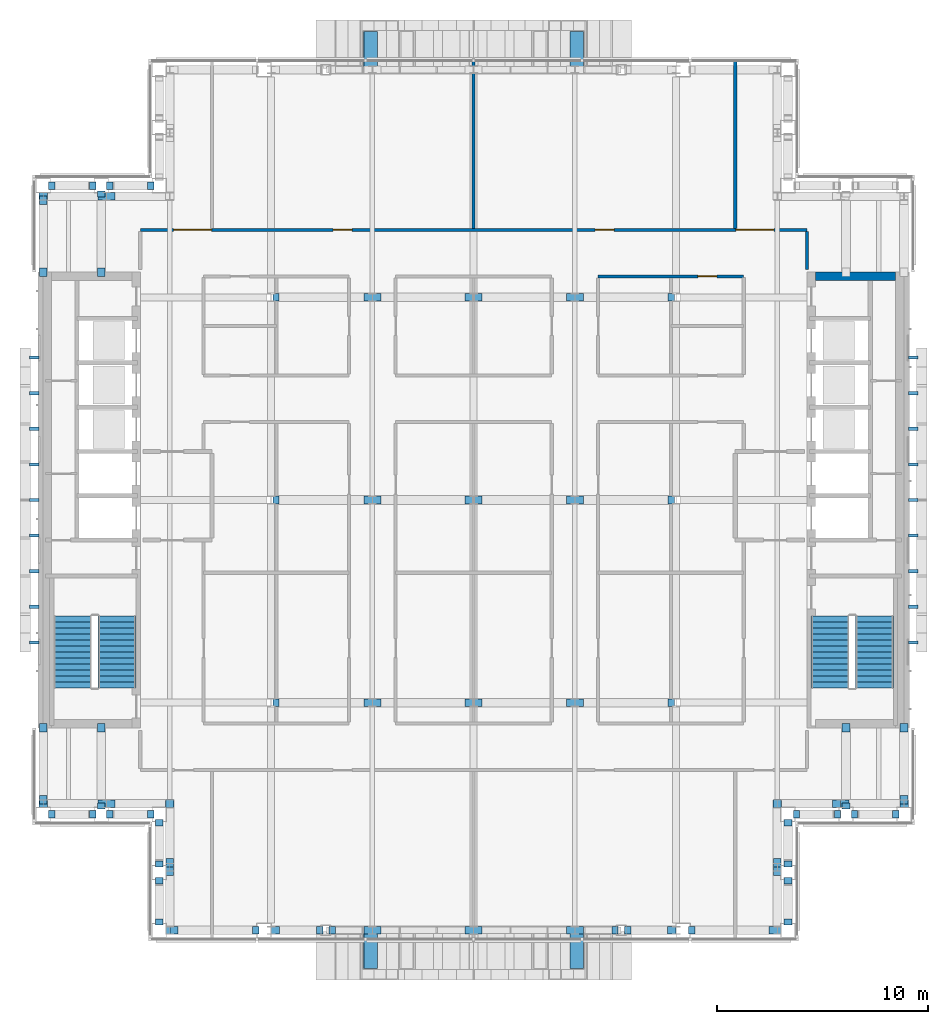
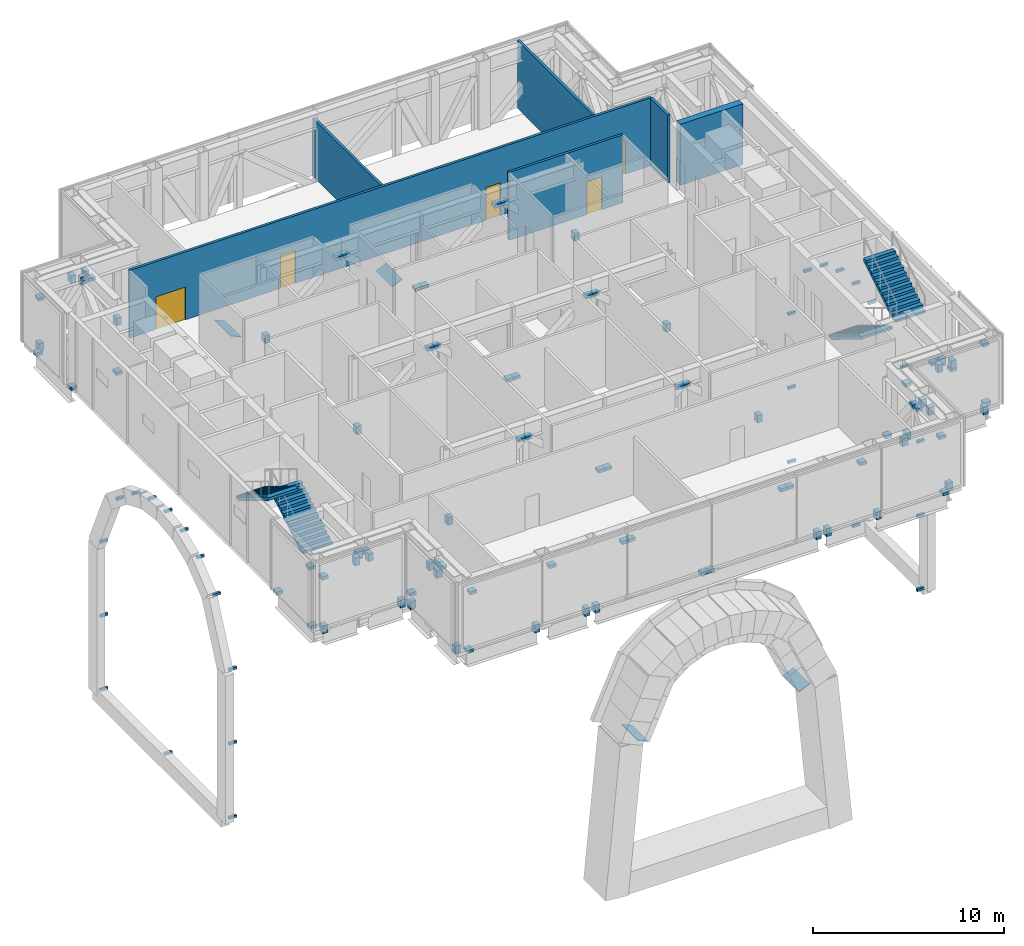
# One storey, part 14 of 26: 123 discrete accessories, 6 walls, 5 doors, 4 stair flights, 5 openings, 2 elements without a shape of their own.
"""IFC4 building model written with IfcOpenShell, lengths in metres."""

from ifc_helpers import new_model, si_unit, direction, frame, frame_2d, origin, origin_2d, place, context, subcontext, project, spatial, polyline, rectangle, outline, extrude, material, layer, layer_set, type_object, element, fill, aggregate, save


model = new_model("IFC4")

# Units and contexts
model_context = context("Model", 3, precision=1e-05, world=origin(), true_north=direction((0.0, 1.0)))
body_context = subcontext(model_context, "Body", "Model", "MODEL_VIEW")
ifc_project = project(units=[si_unit("LENGTHUNIT", "METRE"), si_unit("AREAUNIT", "SQUARE_METRE"), si_unit("VOLUMEUNIT", "CUBIC_METRE"), si_unit("PLANEANGLEUNIT", "RADIAN"), si_unit("MASSUNIT", "GRAM", prefix="KILO")], contexts=[model_context])

# Site, building, storey
site_placement = place(None, origin())
site = spatial("IfcSite", under=ifc_project, at=site_placement, CompositionType="ELEMENT")
building_placement = place(site_placement, origin())
building = spatial("IfcBuilding", under=site, at=building_placement, Name="Cobrizo Arcos Hotel Tower", CompositionType="ELEMENT")
storey_placement = place(building_placement, frame((0.0, 0.0, 236.5)))
storey = spatial("IfcBuildingStorey", under=building, at=storey_placement, Name="L62", CompositionType="ELEMENT", Elevation=236.5)

# Wall, opening, door
ifc_material_1 = material(Name="Gypsum board partition")
ifc_layer_1 = layer(ifc_material_1, 0.14990234375)
ifc_layer_set_1 = layer_set([ifc_layer_1], Name="Corridor wall EI 60 150")
wall_type_1 = type_object("IfcWallType", Name="Corridor wall EI 60 150", PredefinedType="PARTITIONING", material=ifc_layer_set_1)
wall_1_placement = place(storey_placement, frame((5.89990234375, 10.60009765625, 0.0), z_axis=(0.0, 0.0, 1.0), x_axis=(1.0, 0.0, 0.0)))
wall_1 = element("IfcWall", 1, at=wall_1_placement, inside=storey, type_object=wall_type_1, Name="Partition 040", PredefinedType="PARTITIONING", context=body_context, shape_type="SweptSolid", body=[
    extrude(rectangle(XDim=6.900146484375, YDim=0.14990234375, at=frame_2d((3.4501953125, 0.0))), origin(), (0.0, 0.0, 1.0), 4.35009765625),
])
opening_1_placement = place(wall_1_placement, frame((4.72509765625, 0.0, 0.0)))
opening_1 = element("IfcOpeningElement", 2, at=opening_1_placement, cuts=wall_1, Name="Opening RD-21", PredefinedType="OPENING", context=body_context, shape_type="SweptSolid", body=[
    extrude(rectangle(XDim=0.89990234375, YDim=2.10009765625, at=frame_2d((0.449951171875, 1.050048828125))), frame((0.0, 0.0869140625, 0.0), z_axis=(0.0, -1.0, 0.0), x_axis=(1.0, 0.0, 0.0)), (0.0, 0.0, 1.0), 0.173828125),
])
ifc_material_2 = material(Name="Timber door leaf", Category="wood")
door_type_1 = type_object("IfcDoorType", Name="Room door FD30 900x2100", OperationType="SINGLE_SWING_LEFT", PredefinedType="DOOR", material=ifc_material_2)
door_1_placement = place(opening_1_placement, origin())
door_1 = element("IfcDoor", 3, at=door_1_placement, inside=storey, type_object=door_type_1, Name="Door RD-21", OperationType="SINGLE_SWING_LEFT", OverallHeight=2.10009765625, OverallWidth=0.89990234375, PredefinedType="DOOR", context=body_context, shape_type="SweptSolid", body=[
    extrude(rectangle(XDim=0.89990234375, YDim=2.10009765625, at=frame_2d((0.449951171875, 1.050048828125))), frame((0.0, 0.02490234375, 0.0), z_axis=(0.0, -1.0, 0.0), x_axis=(1.0, 0.0, 0.0)), (0.0, 0.0, 1.0), 0.050048828125),
])
fill(opening_1, door_1)

# Wall, openings, doors
wall_2_placement = place(storey_placement, frame((-15.800048828125, 12.800048828125, 0.0), z_axis=(0.0, 0.0, 1.0), x_axis=(1.0, 0.0, 0.0)))
wall_2 = element("IfcWall", 4, at=wall_2_placement, inside=storey, type_object=wall_type_1, Name="Partition 041", PredefinedType="PARTITIONING", context=body_context, shape_type="SweptSolid", body=[
    extrude(rectangle(XDim=31.60009765625, YDim=0.14990234375, at=frame_2d((15.800048828125, 0.0))), origin(), (0.0, 0.0, 1.0), 4.35009765625),
])
opening_2_placement = place(wall_2_placement, frame((9.14208984375, 0.0, 0.0)))
opening_2 = element("IfcOpeningElement", 5, at=opening_2_placement, cuts=wall_2, Name="Opening RD-09", PredefinedType="OPENING", context=body_context, shape_type="SweptSolid", body=[
    extrude(rectangle(XDim=0.89990234375, YDim=2.10009765625, at=frame_2d((0.449951171875, 1.050048828125))), frame((0.0, 0.0869140625, 0.0), z_axis=(0.0, -1.0, 0.0), x_axis=(1.0, 0.0, 0.0)), (0.0, 0.0, 1.0), 0.173828125),
])
opening_3_placement = place(wall_2_placement, frame((21.55908203125, 0.0, 0.0)))
opening_3 = element("IfcOpeningElement", 6, at=opening_3_placement, cuts=wall_2, Name="Opening RD-10", PredefinedType="OPENING", context=body_context, shape_type="SweptSolid", body=[
    extrude(rectangle(XDim=0.89990234375, YDim=2.10009765625, at=frame_2d((0.449951171875, 1.050048828125))), frame((0.0, 0.0869140625, 0.0), z_axis=(0.0, -1.0, 0.0), x_axis=(1.0, 0.0, 0.0)), (0.0, 0.0, 1.0), 0.173828125),
])
opening_4_placement = place(wall_2_placement, frame((1.580078125, 0.0, 0.0)))
opening_4 = element("IfcOpeningElement", 7, at=opening_4_placement, cuts=wall_2, Name="Opening DD-01", PredefinedType="OPENING", context=body_context, shape_type="SweptSolid", body=[
    extrude(rectangle(XDim=1.800048828125, YDim=2.10009765625, at=frame_2d((0.89990234375, 1.050048828125))), frame((0.0, 0.0869140625, 0.0), z_axis=(0.0, -1.0, 0.0), x_axis=(1.0, 0.0, 0.0)), (0.0, 0.0, 1.0), 0.173828125),
])
opening_5_placement = place(wall_2_placement, frame((28.22998046875, 0.0, 0.0)))
opening_5 = element("IfcOpeningElement", 8, at=opening_5_placement, cuts=wall_2, Name="Opening DD-02", PredefinedType="OPENING", context=body_context, shape_type="SweptSolid", body=[
    extrude(rectangle(XDim=1.800048828125, YDim=2.10009765625, at=frame_2d((0.89990234375, 1.050048828125))), frame((0.0, 0.0869140625, 0.0), z_axis=(0.0, -1.0, 0.0), x_axis=(1.0, 0.0, 0.0)), (0.0, 0.0, 1.0), 0.173828125),
])
door_type_2 = type_object("IfcDoorType", Name="Double door FD30 1800x2100", OperationType="DOUBLE_DOOR_SINGLE_SWING", PredefinedType="DOOR", material=ifc_material_2)
door_2_placement = place(opening_4_placement, origin())
door_2 = element("IfcDoor", 9, at=door_2_placement, inside=storey, type_object=door_type_2, Name="Door DD-01", OperationType="DOUBLE_DOOR_SINGLE_SWING", OverallHeight=2.10009765625, OverallWidth=1.800048828125, PredefinedType="DOOR", context=body_context, shape_type="SweptSolid", body=[
    extrude(rectangle(XDim=1.800048828125, YDim=2.10009765625, at=frame_2d((0.89990234375, 1.050048828125))), frame((0.0, 0.02490234375, 0.0), z_axis=(0.0, -1.0, 0.0), x_axis=(1.0, 0.0, 0.0)), (0.0, 0.0, 1.0), 0.050048828125),
])
fill(opening_4, door_2)
door_3_placement = place(opening_5_placement, origin())
door_3 = element("IfcDoor", 10, at=door_3_placement, inside=storey, type_object=door_type_2, Name="Door DD-02", OperationType="DOUBLE_DOOR_SINGLE_SWING", OverallHeight=2.10009765625, OverallWidth=1.800048828125, PredefinedType="DOOR", context=body_context, shape_type="SweptSolid", body=[
    extrude(rectangle(XDim=1.800048828125, YDim=2.10009765625, at=frame_2d((0.89990234375, 1.050048828125))), frame((0.0, 0.02490234375, 0.0), z_axis=(0.0, -1.0, 0.0), x_axis=(1.0, 0.0, 0.0)), (0.0, 0.0, 1.0), 0.050048828125),
])
fill(opening_5, door_3)
door_4_placement = place(opening_2_placement, origin())
door_4 = element("IfcDoor", 11, at=door_4_placement, inside=storey, type_object=door_type_1, Name="Door RD-09", OperationType="SINGLE_SWING_LEFT", OverallHeight=2.10009765625, OverallWidth=0.89990234375, PredefinedType="DOOR", context=body_context, shape_type="SweptSolid", body=[
    extrude(rectangle(XDim=0.89990234375, YDim=2.10009765625, at=frame_2d((0.449951171875, 1.050048828125))), frame((0.0, 0.02490234375, 0.0), z_axis=(0.0, -1.0, 0.0), x_axis=(1.0, 0.0, 0.0)), (0.0, 0.0, 1.0), 0.050048828125),
])
fill(opening_2, door_4)
door_5_placement = place(opening_3_placement, origin())
door_5 = element("IfcDoor", 12, at=door_5_placement, inside=storey, type_object=door_type_1, Name="Door RD-10", OperationType="SINGLE_SWING_LEFT", OverallHeight=2.10009765625, OverallWidth=0.89990234375, PredefinedType="DOOR", context=body_context, shape_type="SweptSolid", body=[
    extrude(rectangle(XDim=0.89990234375, YDim=2.10009765625, at=frame_2d((0.449951171875, 1.050048828125))), frame((0.0, 0.02490234375, 0.0), z_axis=(0.0, -1.0, 0.0), x_axis=(1.0, 0.0, 0.0)), (0.0, 0.0, 1.0), 0.050048828125),
])
fill(opening_3, door_5)

# Walls
wall_3_placement = place(storey_placement, frame((0.0, 12.875, 0.0), z_axis=(0.0, 0.0, 1.0), x_axis=(0.0, 1.0, 0.0)))
element("IfcWall", 13, at=wall_3_placement, inside=storey, type_object=wall_type_1, Name="Partition 069", PredefinedType="PARTITIONING", context=body_context, shape_type="SweptSolid", body=[
    extrude(rectangle(XDim=7.905029296875, YDim=0.14990234375, at=frame_2d((3.95263671875, 0.0))), origin(), (0.0, 0.0, 1.0), 3.72802734375),
])
wall_4_placement = place(storey_placement, frame((12.39990234375, 12.875, 0.0), z_axis=(0.0, 0.0, 1.0), x_axis=(0.0, 1.0, 0.0)))
element("IfcWall", 14, at=wall_4_placement, inside=storey, type_object=wall_type_1, Name="Partition 079", PredefinedType="PARTITIONING", context=body_context, shape_type="SweptSolid", body=[
    extrude(rectangle(XDim=7.905029296875, YDim=0.14990234375, at=frame_2d((3.95263671875, 0.0))), origin(), (0.0, 0.0, 1.0), 4.35009765625),
])
wall_5_placement = place(storey_placement, frame((15.800048828125, 10.919921875, 0.0), z_axis=(0.0, 0.0, 1.0), x_axis=(0.0, 1.0, 0.0)))
element("IfcWall", 15, at=wall_5_placement, inside=storey, type_object=wall_type_1, Name="Partition 084", PredefinedType="PARTITIONING", context=body_context, shape_type="SweptSolid", body=[
    extrude(rectangle(XDim=1.80517578125, YDim=0.14990234375, at=frame_2d((0.902587890625, 0.0))), origin(), (0.0, 0.0, 1.0), 4.35009765625),
])
ifc_material_3 = material(Name="Concrete f'c 40 MPa", Category="concrete")
ifc_layer_2 = layer(ifc_material_3, 0.39990234375)
ifc_layer_set_2 = layer_set([ifc_layer_2], Name="RC core wall 400 f'c 40")
wall_type_2 = type_object("IfcWallType", Name="RC core wall 400 f'c 40", PredefinedType="SHEAR", material=ifc_layer_set_2)
wall_6_placement = place(storey_placement, frame((16.199951171875, 10.60009765625, 0.0), z_axis=(0.0, 0.0, 1.0), x_axis=(1.0, 0.0, 0.0)))
element("IfcWall", 16, at=wall_6_placement, inside=storey, type_object=wall_type_2, Name="Core wall CW4, east core, north end, L62", PredefinedType="SHEAR", context=body_context, shape_type="SweptSolid", body=[
    extrude(rectangle(XDim=3.800048828125, YDim=0.39990234375, at=frame_2d((1.89990234375, 0.0))), origin(), (0.0, 0.0, 1.0), 3.89990234375),
])

# Stair, stair flights
stair_type = type_object("IfcStairType", Name="Exit stair", PredefinedType="HALF_TURN_STAIR", material=ifc_material_3)
stair_1_placement = place(storey_placement, origin())
stair_1 = element("IfcStair", 17, at=stair_1_placement, inside=storey, type_object=stair_type, Name="L62 Exit stair ST-W", PredefinedType="HALF_TURN_STAIR")
stair_flight_type = type_object("IfcStairFlightType", Name="Exit stair flight", PredefinedType="STRAIGHT", material=ifc_material_3)
stair_flight_1_placement = place(storey_placement, frame((-16.89990234375, -8.89990234375, 0.0), z_axis=(0.0, 0.0, 1.0), x_axis=(0.0, 1.0, 0.0)))
stair_flight_1 = element("IfcStairFlight", 18, at=stair_flight_1_placement, type_object=stair_flight_type, Name="ST-W flight 1", NumberOfRisers=13, NumberOfTreads=12, PredefinedType="STRAIGHT", RiserHeight=0.173076923, TreadLength=0.283333333, context=body_context, shape_type="SweptSolid", body=[
    extrude(outline(polyline([(0.0, 0.0), (0.0, 0.173095703125), (0.283447265625, 0.173095703125), (0.283447265625, 0.34619140625), (0.566650390625, 0.34619140625), (0.566650390625, 0.519287109375), (0.85009765625, 0.519287109375), (0.85009765625, 0.6923828125), (1.13330078125, 0.6923828125), (1.13330078125, 0.865478515625), (1.416748046875, 0.865478515625), (1.416748046875, 1.03857421875), (1.699951171875, 1.03857421875), (1.699951171875, 1.21142578125), (1.9833984375, 1.21142578125), (1.9833984375, 1.384521484375), (2.2666015625, 1.384521484375), (2.2666015625, 1.5576171875), (2.550048828125, 1.5576171875), (2.550048828125, 1.730712890625), (2.833251953125, 1.730712890625), (2.833251953125, 1.90380859375), (3.11669921875, 1.90380859375), (3.11669921875, 2.076904296875), (3.39990234375, 2.076904296875), (3.39990234375, 2.25), (3.39990234375, 1.9013671875), (0.28759765625, 0.0), (0.0, 0.0)])), frame((0.0, 0.89990234375, 0.0), z_axis=(0.0, -1.0, 0.0), x_axis=(1.0, 0.0, 0.0)), (0.0, 0.0, 1.0), 1.800048828125),
])
stair_flight_2_placement = place(storey_placement, frame((-19.0, -5.5, 2.25), z_axis=(0.0, 0.0, 1.0), x_axis=(0.0, -1.0, 0.0)))
stair_flight_2 = element("IfcStairFlight", 19, at=stair_flight_2_placement, type_object=stair_flight_type, Name="ST-W flight 2", NumberOfRisers=13, NumberOfTreads=12, PredefinedType="STRAIGHT", RiserHeight=0.173076923, TreadLength=0.283333333, context=body_context, shape_type="SweptSolid", body=[
    extrude(outline(polyline([(0.0, 0.0), (0.0, 0.173095703125), (0.283447265625, 0.173095703125), (0.283447265625, 0.34619140625), (0.566650390625, 0.34619140625), (0.566650390625, 0.519287109375), (0.85009765625, 0.519287109375), (0.85009765625, 0.6923828125), (1.13330078125, 0.6923828125), (1.13330078125, 0.865478515625), (1.416748046875, 0.865478515625), (1.416748046875, 1.03857421875), (1.699951171875, 1.03857421875), (1.699951171875, 1.21142578125), (1.9833984375, 1.21142578125), (1.9833984375, 1.384521484375), (2.2666015625, 1.384521484375), (2.2666015625, 1.5576171875), (2.550048828125, 1.5576171875), (2.550048828125, 1.730712890625), (2.833251953125, 1.730712890625), (2.833251953125, 1.90380859375), (3.11669921875, 1.90380859375), (3.11669921875, 2.076904296875), (3.39990234375, 2.076904296875), (3.39990234375, 2.25), (3.39990234375, 1.9013671875), (0.28759765625, 0.0), (0.0, 0.0)])), frame((0.0, 0.89990234375, 0.0), z_axis=(0.0, -1.0, 0.0), x_axis=(1.0, 0.0, 0.0)), (0.0, 0.0, 1.0), 1.800048828125),
])
aggregate(stair_1, [stair_flight_1, stair_flight_2])

stair_2_placement = place(storey_placement, origin())
stair_2 = element("IfcStair", 20, at=stair_2_placement, inside=storey, type_object=stair_type, Name="L62 Exit stair ST-E", PredefinedType="HALF_TURN_STAIR")
stair_flight_3_placement = place(storey_placement, frame((16.89990234375, -5.5, 0.0), z_axis=(0.0, 0.0, 1.0), x_axis=(0.0, -1.0, 0.0)))
stair_flight_3 = element("IfcStairFlight", 21, at=stair_flight_3_placement, type_object=stair_flight_type, Name="ST-E flight 1", NumberOfRisers=13, NumberOfTreads=12, PredefinedType="STRAIGHT", RiserHeight=0.173076923, TreadLength=0.283333333, context=body_context, shape_type="SweptSolid", body=[
    extrude(outline(polyline([(0.0, 0.0), (0.0, 0.173095703125), (0.283447265625, 0.173095703125), (0.283447265625, 0.34619140625), (0.566650390625, 0.34619140625), (0.566650390625, 0.519287109375), (0.85009765625, 0.519287109375), (0.85009765625, 0.6923828125), (1.13330078125, 0.6923828125), (1.13330078125, 0.865478515625), (1.416748046875, 0.865478515625), (1.416748046875, 1.03857421875), (1.699951171875, 1.03857421875), (1.699951171875, 1.21142578125), (1.9833984375, 1.21142578125), (1.9833984375, 1.384521484375), (2.2666015625, 1.384521484375), (2.2666015625, 1.5576171875), (2.550048828125, 1.5576171875), (2.550048828125, 1.730712890625), (2.833251953125, 1.730712890625), (2.833251953125, 1.90380859375), (3.11669921875, 1.90380859375), (3.11669921875, 2.076904296875), (3.39990234375, 2.076904296875), (3.39990234375, 2.25), (3.39990234375, 1.9013671875), (0.28759765625, 0.0), (0.0, 0.0)])), frame((0.0, 0.89990234375, 0.0), z_axis=(0.0, -1.0, 0.0), x_axis=(1.0, 0.0, 0.0)), (0.0, 0.0, 1.0), 1.800048828125),
])
stair_flight_4_placement = place(storey_placement, frame((19.0, -8.89990234375, 2.25), z_axis=(0.0, 0.0, 1.0), x_axis=(0.0, 1.0, 0.0)))
stair_flight_4 = element("IfcStairFlight", 22, at=stair_flight_4_placement, type_object=stair_flight_type, Name="ST-E flight 2", NumberOfRisers=13, NumberOfTreads=12, PredefinedType="STRAIGHT", RiserHeight=0.173076923, TreadLength=0.283333333, context=body_context, shape_type="SweptSolid", body=[
    extrude(outline(polyline([(0.0, 0.0), (0.0, 0.173095703125), (0.283447265625, 0.173095703125), (0.283447265625, 0.34619140625), (0.566650390625, 0.34619140625), (0.566650390625, 0.519287109375), (0.85009765625, 0.519287109375), (0.85009765625, 0.6923828125), (1.13330078125, 0.6923828125), (1.13330078125, 0.865478515625), (1.416748046875, 0.865478515625), (1.416748046875, 1.03857421875), (1.699951171875, 1.03857421875), (1.699951171875, 1.21142578125), (1.9833984375, 1.21142578125), (1.9833984375, 1.384521484375), (2.2666015625, 1.384521484375), (2.2666015625, 1.5576171875), (2.550048828125, 1.5576171875), (2.550048828125, 1.730712890625), (2.833251953125, 1.730712890625), (2.833251953125, 1.90380859375), (3.11669921875, 1.90380859375), (3.11669921875, 2.076904296875), (3.39990234375, 2.076904296875), (3.39990234375, 2.25), (3.39990234375, 1.9013671875), (0.28759765625, 0.0), (0.0, 0.0)])), frame((0.0, 0.89990234375, 0.0), z_axis=(0.0, -1.0, 0.0), x_axis=(1.0, 0.0, 0.0)), (0.0, 0.0, 1.0), 1.800048828125),
])
aggregate(stair_2, [stair_flight_3, stair_flight_4])

# Discrete accessories
ifc_material_4 = material(Name="Steel ASTM A500 Grade C", Category="steel")
discrete_accessory_type_1 = type_object("IfcDiscreteAccessoryType", Name="BR-1 fin bracket", PredefinedType="BRACKET", material=ifc_material_4)
for number, where, z_axis, x_axis, name in (
    (23, (20.824951171875, -6.748291015625, -7.636474609375), (0.0, 0.0, 1.0), (1.0, 0.0, 0.0), "Arch rim bracket C E"),
    (24, (20.824951171875, -5.061279296875, -3.87744140625), (0.0, 0.0, 1.0), (1.0, 0.0, 0.0), "Arch rim bracket C E"),
    (25, (20.824951171875, -3.374267578125, -2.512451171875), (0.0, 0.0, 1.0), (1.0, 0.0, 0.0), "Arch rim bracket C E"),
    (26, (20.824951171875, -1.68701171875, -1.827880859375), (0.0, 0.0, 1.0), (1.0, 0.0, 0.0), "Arch rim bracket C E"),
    (27, (20.824951171875, 0.0, -1.614990234375), (0.0, 0.0, 1.0), (1.0, 0.0, 0.0), "Arch rim bracket C E"),
    (28, (20.824951171875, 1.68701171875, -1.827880859375), (0.0, 0.0, 1.0), (1.0, 0.0, 0.0), "Arch rim bracket C E"),
    (29, (20.824951171875, 3.374267578125, -2.512451171875), (0.0, 0.0, 1.0), (1.0, 0.0, 0.0), "Arch rim bracket C E"),
    (30, (20.824951171875, 5.061279296875, -3.87744140625), (0.0, 0.0, 1.0), (1.0, 0.0, 0.0), "Arch rim bracket C E"),
    (31, (20.824951171875, 6.748291015625, -7.636474609375), (0.0, 0.0, 1.0), (1.0, 0.0, 0.0), "Arch rim bracket C E"),
    (32, (20.824951171875, -6.748291015625, -17.125), (0.0, 0.0, 1.0), (1.0, 0.0, 0.0), "Arch rim bracket C E"),
    (33, (20.824951171875, -6.748291015625, -12.380859375), (0.0, 0.0, 1.0), (1.0, 0.0, 0.0), "Arch rim bracket C E"),
    (34, (20.824951171875, 6.748291015625, -17.125), (0.0, 0.0, 1.0), (1.0, 0.0, 0.0), "Arch rim bracket C E"),
    (35, (20.824951171875, 6.748291015625, -12.380859375), (0.0, 0.0, 1.0), (1.0, 0.0, 0.0), "Arch rim bracket C E"),
    (36, (20.824951171875, 0.0, -17.125), (0.0, 0.0, 1.0), (1.0, 0.0, 0.0), "Arch rim bracket C E"),
    (37, (-20.824951171875, -6.748291015625, -7.636474609375), (0.0, 0.0, 1.0), (1.0, 0.0, 0.0), "Arch rim bracket C W"),
    (38, (-20.824951171875, -5.061279296875, -3.87744140625), (0.0, 0.0, 1.0), (1.0, 0.0, 0.0), "Arch rim bracket C W"),
    (39, (-20.824951171875, -3.374267578125, -2.512451171875), (0.0, 0.0, 1.0), (1.0, 0.0, 0.0), "Arch rim bracket C W"),
    (40, (-20.824951171875, -1.68701171875, -1.827880859375), (0.0, 0.0, 1.0), (1.0, 0.0, 0.0), "Arch rim bracket C W"),
    (41, (-20.824951171875, 0.0, -1.614990234375), (0.0, 0.0, 1.0), (1.0, 0.0, 0.0), "Arch rim bracket C W"),
    (42, (-20.824951171875, 1.68701171875, -1.827880859375), (0.0, 0.0, 1.0), (1.0, 0.0, 0.0), "Arch rim bracket C W"),
    (43, (-20.824951171875, 3.374267578125, -2.512451171875), (0.0, 0.0, 1.0), (1.0, 0.0, 0.0), "Arch rim bracket C W"),
    (44, (-20.824951171875, 5.061279296875, -3.87744140625), (0.0, 0.0, 1.0), (1.0, 0.0, 0.0), "Arch rim bracket C W"),
    (45, (-20.824951171875, 6.748291015625, -7.636474609375), (0.0, 0.0, 1.0), (1.0, 0.0, 0.0), "Arch rim bracket C W"),
    (46, (-20.824951171875, -6.748291015625, -17.125), (0.0, 0.0, 1.0), (1.0, 0.0, 0.0), "Arch rim bracket C W"),
    (47, (-20.824951171875, -6.748291015625, -12.380859375), (0.0, 0.0, 1.0), (1.0, 0.0, 0.0), "Arch rim bracket C W"),
    (48, (-20.824951171875, 6.748291015625, -17.125), (0.0, 0.0, 1.0), (1.0, 0.0, 0.0), "Arch rim bracket C W"),
    (49, (-20.824951171875, 6.748291015625, -12.380859375), (0.0, 0.0, 1.0), (1.0, 0.0, 0.0), "Arch rim bracket C W"),
    (50, (-20.824951171875, 0.0, -17.125), (0.0, 0.0, 1.0), (1.0, 0.0, 0.0), "Arch rim bracket C W"),
):
    element("IfcDiscreteAccessory", number, at=place(storey_placement, frame(where, z_axis=z_axis, x_axis=x_axis)), inside=storey, type_object=discrete_accessory_type_1, Name=name, PredefinedType="BRACKET", context=body_context, shape_type="SweptSolid", body=[
        extrude(rectangle(XDim=0.449951171875, YDim=0.14990234375, at=origin_2d()), origin(), (0.0, 0.0, 1.0), 0.14990234375),
    ])
ifc_material_5 = material(Name="Steel ASTM A572 Grade 50", Category="steel")
discrete_accessory_type_2 = type_object("IfcDiscreteAccessoryType", Name="GP-3 truss end block 300x360x500", PredefinedType="BRACKET", material=ifc_material_5)
for number, where, z_axis, x_axis, name in (
    (51, (-10.3330078125, -20.39990234375, -0.550048828125), (0.0, 0.0, 1.0), (-1.0, 0.0, 0.0), "Truss end block"),
    (52, (-7.300048828125, -20.39990234375, -0.550048828125), (0.0, 0.0, 1.0), (-1.0, 0.0, 0.0), "Truss end block"),
    (53, (-6.699951171875, -20.39990234375, -0.550048828125), (0.0, 0.0, 1.0), (1.0, 0.0, 0.0), "Truss end block"),
    (54, (6.699951171875, -20.39990234375, -0.550048828125), (0.0, 0.0, 1.0), (-1.0, 0.0, 0.0), "Truss end block"),
    (55, (7.300048828125, -20.39990234375, -0.550048828125), (0.0, 0.0, 1.0), (1.0, 0.0, 0.0), "Truss end block"),
    (56, (10.3330078125, -20.39990234375, -0.550048828125), (0.0, 0.0, 1.0), (1.0, 0.0, 0.0), "Truss end block"),
    (57, (14.89990234375, -20.0, -0.550048828125), (0.0, 0.0, 1.0), (0.0, 1.0, 0.0), "Truss end block"),
    (58, (14.89990234375, -18.050048828125, 3.109375), (0.0, 0.0, 1.0), (0.0, -1.0, 0.0), "Truss end block"),
    (59, (14.89990234375, -17.25, 3.109375), (0.0, 0.0, 1.0), (0.0, 1.0, 0.0), "Truss end block"),
    (60, (14.89990234375, -15.300048828125, -0.550048828125), (0.0, 0.0, 1.0), (0.0, -1.0, 0.0), "Truss end block"),
    (61, (15.300048828125, -14.89990234375, -0.550048828125), (0.0, 0.0, 1.0), (1.0, 0.0, 0.0), "Truss end block"),
    (62, (17.25, -14.89990234375, 3.109375), (0.0, 0.0, 1.0), (-1.0, 0.0, 0.0), "Truss end block"),
    (63, (18.050048828125, -14.89990234375, 3.109375), (0.0, 0.0, 1.0), (1.0, 0.0, 0.0), "Truss end block"),
    (64, (20.0, -14.89990234375, -0.550048828125), (0.0, 0.0, 1.0), (-1.0, 0.0, 0.0), "Truss end block"),
    (65, (-15.300048828125, 14.89990234375, -0.550048828125), (0.0, 0.0, 1.0), (-1.0, 0.0, 0.0), "Truss end block"),
    (66, (-17.25, 14.89990234375, 3.109375), (0.0, 0.0, 1.0), (1.0, 0.0, 0.0), "Truss end block"),
    (67, (-18.050048828125, 14.89990234375, 3.109375), (0.0, 0.0, 1.0), (-1.0, 0.0, 0.0), "Truss end block"),
    (68, (-20.0, 14.89990234375, -0.550048828125), (0.0, 0.0, 1.0), (1.0, 0.0, 0.0), "Truss end block"),
    (69, (-20.0, -14.89990234375, -0.550048828125), (0.0, 0.0, 1.0), (1.0, 0.0, 0.0), "Truss end block"),
    (70, (-18.050048828125, -14.89990234375, 3.109375), (0.0, 0.0, 1.0), (-1.0, 0.0, 0.0), "Truss end block"),
    (71, (-17.25, -14.89990234375, 3.109375), (0.0, 0.0, 1.0), (1.0, 0.0, 0.0), "Truss end block"),
    (72, (-15.300048828125, -14.89990234375, -0.550048828125), (0.0, 0.0, 1.0), (-1.0, 0.0, 0.0), "Truss end block"),
    (73, (-14.89990234375, -15.300048828125, -0.550048828125), (0.0, 0.0, 1.0), (0.0, -1.0, 0.0), "Truss end block"),
    (74, (-14.89990234375, -17.25, 3.109375), (0.0, 0.0, 1.0), (0.0, 1.0, 0.0), "Truss end block"),
    (75, (-14.89990234375, -18.050048828125, 3.109375), (0.0, 0.0, 1.0), (0.0, -1.0, 0.0), "Truss end block"),
    (76, (-14.89990234375, -20.0, -0.550048828125), (0.0, 0.0, 1.0), (0.0, 1.0, 0.0), "Truss end block"),
    (77, (17.64990234375, -14.5, 3.109375), (0.0, 0.0, 1.0), (0.0, 1.0, 0.0), "Truss end block"),
    (78, (-17.64990234375, -14.5, 3.109375), (0.0, 0.0, 1.0), (0.0, 1.0, 0.0), "Truss end block"),
    (79, (-17.64990234375, 14.5, 3.109375), (0.0, 0.0, 1.0), (0.0, -1.0, 0.0), "Truss end block"),
    (80, (-9.36328125, -9.60009765625, -0.550048828125), (0.0, 0.0, 1.0), (1.0, 0.0, 0.0), "Truss end block"),
    (81, (9.36328125, -9.60009765625, -0.550048828125), (0.0, 0.0, 1.0), (-1.0, 0.0, 0.0), "Truss end block"),
    (82, (-9.36328125, 0.0, -0.550048828125), (0.0, 0.0, 1.0), (1.0, 0.0, 0.0), "Truss end block"),
    (83, (9.36328125, 0.0, -0.550048828125), (0.0, 0.0, 1.0), (-1.0, 0.0, 0.0), "Truss end block"),
    (84, (-9.36328125, 9.60009765625, -0.550048828125), (0.0, 0.0, 1.0), (1.0, 0.0, 0.0), "Truss end block"),
    (85, (9.36328125, 9.60009765625, -0.550048828125), (0.0, 0.0, 1.0), (-1.0, 0.0, 0.0), "Truss end block"),
):
    element("IfcDiscreteAccessory", number, at=place(storey_placement, frame(where, z_axis=z_axis, x_axis=x_axis)), inside=storey, type_object=discrete_accessory_type_2, Name=name, PredefinedType="BRACKET", context=body_context, shape_type="SweptSolid", body=[
        extrude(rectangle(XDim=0.300048828125, YDim=0.360107421875, at=origin_2d()), origin(), (0.0, 0.0, 1.0), 0.5),
    ])
discrete_accessory_type_3 = type_object("IfcDiscreteAccessoryType", Name="GP-4 truss chord plate 400x360x200", PredefinedType="BRACKET", material=ifc_material_5)
for number, where, z_axis, x_axis, name in (
    (86, (-14.199951171875, -20.39990234375, 3.25927734375), (0.0, 0.0, 1.0), (1.0, 0.0, 0.0), "Truss chord plate"),
    (87, (-9.39990234375, -20.39990234375, 3.25927734375), (0.0, 0.0, 1.0), (1.0, 0.0, 0.0), "Truss chord plate"),
    (88, (-5.0, -20.39990234375, 3.25927734375), (0.0, 0.0, 1.0), (1.0, 0.0, 0.0), "Truss chord plate"),
    (89, (-4.60009765625, -20.39990234375, 3.25927734375), (0.0, 0.0, 1.0), (1.0, 0.0, 0.0), "Truss chord plate"),
    (90, (-0.199951171875, -20.39990234375, -0.39990234375), (0.0, 0.0, 1.0), (1.0, 0.0, 0.0), "Truss chord plate"),
    (91, (0.199951171875, -20.39990234375, -0.39990234375), (0.0, 0.0, 1.0), (1.0, 0.0, 0.0), "Truss chord plate"),
    (92, (4.60009765625, -20.39990234375, 3.25927734375), (0.0, 0.0, 1.0), (1.0, 0.0, 0.0), "Truss chord plate"),
    (93, (5.0, -20.39990234375, 3.25927734375), (0.0, 0.0, 1.0), (1.0, 0.0, 0.0), "Truss chord plate"),
    (94, (9.39990234375, -20.39990234375, 3.25927734375), (0.0, 0.0, 1.0), (1.0, 0.0, 0.0), "Truss chord plate"),
    (95, (14.199951171875, -20.39990234375, 3.25927734375), (0.0, 0.0, 1.0), (1.0, 0.0, 0.0), "Truss chord plate"),
    (96, (20.39990234375, -14.199951171875, 3.25927734375), (0.0, 0.0, 1.0), (0.0, 1.0, 0.0), "Truss chord plate"),
    (97, (20.39990234375, -10.801025390625, -0.39990234375), (0.0, 0.0, 1.0), (0.0, 1.0, 0.0), "Truss chord plate"),
    (98, (-20.39990234375, 14.199951171875, 3.25927734375), (0.0, 0.0, 1.0), (0.0, -1.0, 0.0), "Truss chord plate"),
    (99, (-20.39990234375, 10.801025390625, -0.39990234375), (0.0, 0.0, 1.0), (0.0, -1.0, 0.0), "Truss chord plate"),
    (100, (-20.39990234375, -10.801025390625, -0.39990234375), (0.0, 0.0, 1.0), (0.0, -1.0, 0.0), "Truss chord plate"),
    (101, (-20.39990234375, -14.199951171875, 3.25927734375), (0.0, 0.0, 1.0), (0.0, -1.0, 0.0), "Truss chord plate"),
    (102, (14.39990234375, -20.39990234375, -0.39990234375), (0.0, 0.0, 1.0), (0.0, 1.0, 0.0), "Truss chord plate"),
    (103, (14.39990234375, -17.60009765625, 3.25927734375), (0.0, 0.0, 1.0), (0.0, 1.0, 0.0), "Truss chord plate"),
    (104, (14.39990234375, -17.199951171875, 3.25927734375), (0.0, 0.0, 1.0), (0.0, 1.0, 0.0), "Truss chord plate"),
    (105, (14.39990234375, -14.39990234375, -0.39990234375), (0.0, 0.0, 1.0), (0.0, 1.0, 0.0), "Truss chord plate"),
    (106, (14.39990234375, -14.39990234375, -0.39990234375), (0.0, 0.0, 1.0), (1.0, 0.0, 0.0), "Truss chord plate"),
    (107, (17.199951171875, -14.39990234375, 3.25927734375), (0.0, 0.0, 1.0), (1.0, 0.0, 0.0), "Truss chord plate"),
    (108, (17.60009765625, -14.39990234375, 3.25927734375), (0.0, 0.0, 1.0), (1.0, 0.0, 0.0), "Truss chord plate"),
    (109, (20.39990234375, -14.39990234375, -0.39990234375), (0.0, 0.0, 1.0), (1.0, 0.0, 0.0), "Truss chord plate"),
    (110, (-17.199951171875, 14.39990234375, 3.25927734375), (0.0, 0.0, 1.0), (-1.0, 0.0, 0.0), "Truss chord plate"),
    (111, (-17.60009765625, 14.39990234375, 3.25927734375), (0.0, 0.0, 1.0), (-1.0, 0.0, 0.0), "Truss chord plate"),
    (112, (-20.39990234375, 14.39990234375, -0.39990234375), (0.0, 0.0, 1.0), (-1.0, 0.0, 0.0), "Truss chord plate"),
    (113, (-20.39990234375, -14.39990234375, -0.39990234375), (0.0, 0.0, 1.0), (1.0, 0.0, 0.0), "Truss chord plate"),
    (114, (-17.60009765625, -14.39990234375, 3.25927734375), (0.0, 0.0, 1.0), (1.0, 0.0, 0.0), "Truss chord plate"),
    (115, (-17.199951171875, -14.39990234375, 3.25927734375), (0.0, 0.0, 1.0), (1.0, 0.0, 0.0), "Truss chord plate"),
    (116, (-14.39990234375, -14.39990234375, -0.39990234375), (0.0, 0.0, 1.0), (1.0, 0.0, 0.0), "Truss chord plate"),
    (117, (-14.39990234375, -14.39990234375, -0.39990234375), (0.0, 0.0, 1.0), (0.0, -1.0, 0.0), "Truss chord plate"),
    (118, (-14.39990234375, -17.199951171875, 3.25927734375), (0.0, 0.0, 1.0), (0.0, -1.0, 0.0), "Truss chord plate"),
    (119, (-14.39990234375, -17.60009765625, 3.25927734375), (0.0, 0.0, 1.0), (0.0, -1.0, 0.0), "Truss chord plate"),
    (120, (-14.39990234375, -20.39990234375, -0.39990234375), (0.0, 0.0, 1.0), (0.0, -1.0, 0.0), "Truss chord plate"),
    (121, (17.64990234375, -10.800048828125, -0.39990234375), (0.0, 0.0, 1.0), (0.0, -1.0, 0.0), "Truss chord plate"),
    (122, (-17.64990234375, -10.800048828125, -0.39990234375), (0.0, 0.0, 1.0), (0.0, -1.0, 0.0), "Truss chord plate"),
    (123, (-17.64990234375, 10.800048828125, -0.39990234375), (0.0, 0.0, 1.0), (0.0, 1.0, 0.0), "Truss chord plate"),
    (124, (-5.0, -9.60009765625, 3.25927734375), (0.0, 0.0, 1.0), (1.0, 0.0, 0.0), "Truss chord plate"),
    (125, (-4.60009765625, -9.60009765625, 3.25927734375), (0.0, 0.0, 1.0), (1.0, 0.0, 0.0), "Truss chord plate"),
    (126, (-0.199951171875, -9.60009765625, -0.39990234375), (0.0, 0.0, 1.0), (1.0, 0.0, 0.0), "Truss chord plate"),
    (127, (0.199951171875, -9.60009765625, -0.39990234375), (0.0, 0.0, 1.0), (1.0, 0.0, 0.0), "Truss chord plate"),
    (128, (4.60009765625, -9.60009765625, 3.25927734375), (0.0, 0.0, 1.0), (1.0, 0.0, 0.0), "Truss chord plate"),
    (129, (5.0, -9.60009765625, 3.25927734375), (0.0, 0.0, 1.0), (1.0, 0.0, 0.0), "Truss chord plate"),
    (130, (-5.0, 0.0, 3.25927734375), (0.0, 0.0, 1.0), (1.0, 0.0, 0.0), "Truss chord plate"),
    (131, (-4.60009765625, 0.0, 3.25927734375), (0.0, 0.0, 1.0), (1.0, 0.0, 0.0), "Truss chord plate"),
    (132, (-0.199951171875, 0.0, -0.39990234375), (0.0, 0.0, 1.0), (1.0, 0.0, 0.0), "Truss chord plate"),
    (133, (0.199951171875, 0.0, -0.39990234375), (0.0, 0.0, 1.0), (1.0, 0.0, 0.0), "Truss chord plate"),
    (134, (4.60009765625, 0.0, 3.25927734375), (0.0, 0.0, 1.0), (1.0, 0.0, 0.0), "Truss chord plate"),
    (135, (5.0, 0.0, 3.25927734375), (0.0, 0.0, 1.0), (1.0, 0.0, 0.0), "Truss chord plate"),
    (136, (-5.0, 9.60009765625, 3.25927734375), (0.0, 0.0, 1.0), (1.0, 0.0, 0.0), "Truss chord plate"),
    (137, (-4.60009765625, 9.60009765625, 3.25927734375), (0.0, 0.0, 1.0), (1.0, 0.0, 0.0), "Truss chord plate"),
    (138, (-0.199951171875, 9.60009765625, -0.39990234375), (0.0, 0.0, 1.0), (1.0, 0.0, 0.0), "Truss chord plate"),
    (139, (0.199951171875, 9.60009765625, -0.39990234375), (0.0, 0.0, 1.0), (1.0, 0.0, 0.0), "Truss chord plate"),
    (140, (4.60009765625, 9.60009765625, 3.25927734375), (0.0, 0.0, 1.0), (1.0, 0.0, 0.0), "Truss chord plate"),
    (141, (5.0, 9.60009765625, 3.25927734375), (0.0, 0.0, 1.0), (1.0, 0.0, 0.0), "Truss chord plate"),
):
    element("IfcDiscreteAccessory", number, at=place(storey_placement, frame(where, z_axis=z_axis, x_axis=x_axis)), inside=storey, type_object=discrete_accessory_type_3, Name=name, PredefinedType="BRACKET", context=body_context, shape_type="SweptSolid", body=[
        extrude(rectangle(XDim=0.39990234375, YDim=0.360107421875, at=origin_2d()), origin(), (0.0, 0.0, 1.0), 0.199951171875),
    ])
ifc_material_6 = material(Name="Steel ASTM A500 Grade C verdigris painted", Category="steel")
discrete_accessory_type_4 = type_object("IfcDiscreteAccessoryType", Name="PF-4 portal end plate", PredefinedType="BRACKET", material=ifc_material_6)
for number, where, z_axis, x_axis, name in (
    (142, (-4.878173828125, 21.35009765625, -8.40087890625), (-0.404636175117, 0.0, -0.914477755764), (0.0, -1.0, 0.0), "C ring frame end plate N21"),
    (143, (4.878173828125, 21.35009765625, -8.40087890625), (0.404636175117, 0.0, -0.914477755764), (0.0, 1.0, 0.0), "C ring frame end plate N22"),
    (144, (-4.878173828125, -21.35009765625, -8.40087890625), (-0.404636175117, 0.0, -0.914477755764), (0.0, -1.0, 0.0), "C ring frame end plate S21"),
    (145, (4.878173828125, -21.35009765625, -8.40087890625), (0.404636175117, 0.0, -0.914477755764), (0.0, 1.0, 0.0), "C ring frame end plate S22"),
):
    element("IfcDiscreteAccessory", number, at=place(storey_placement, frame(where, z_axis=z_axis, x_axis=x_axis)), inside=storey, type_object=discrete_accessory_type_4, Name=name, PredefinedType="BRACKET", context=body_context, shape_type="SweptSolid", body=[
        extrude(rectangle(XDim=1.699951171875, YDim=0.699951171875, at=origin_2d()), origin(), (0.0, 0.0, 1.0), 0.0302734375),
    ])

save(model, "model.ifc")
